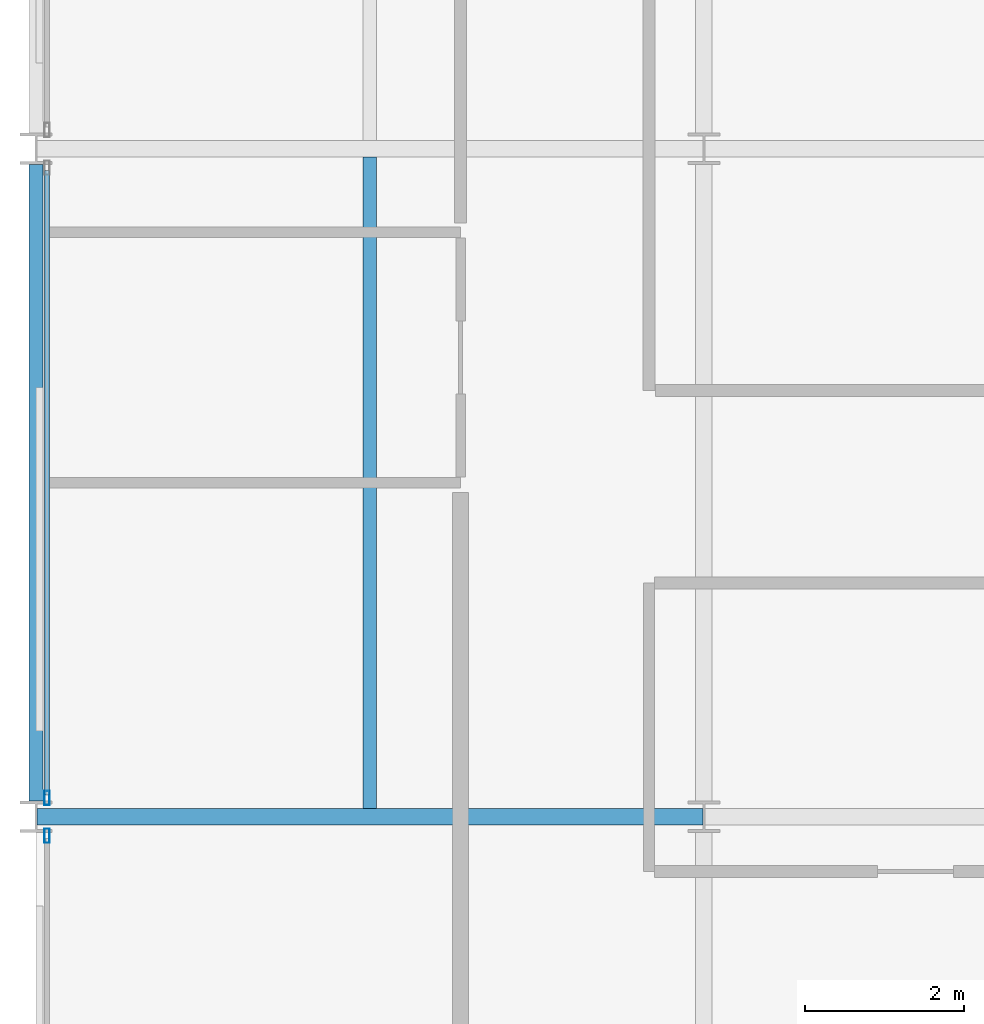
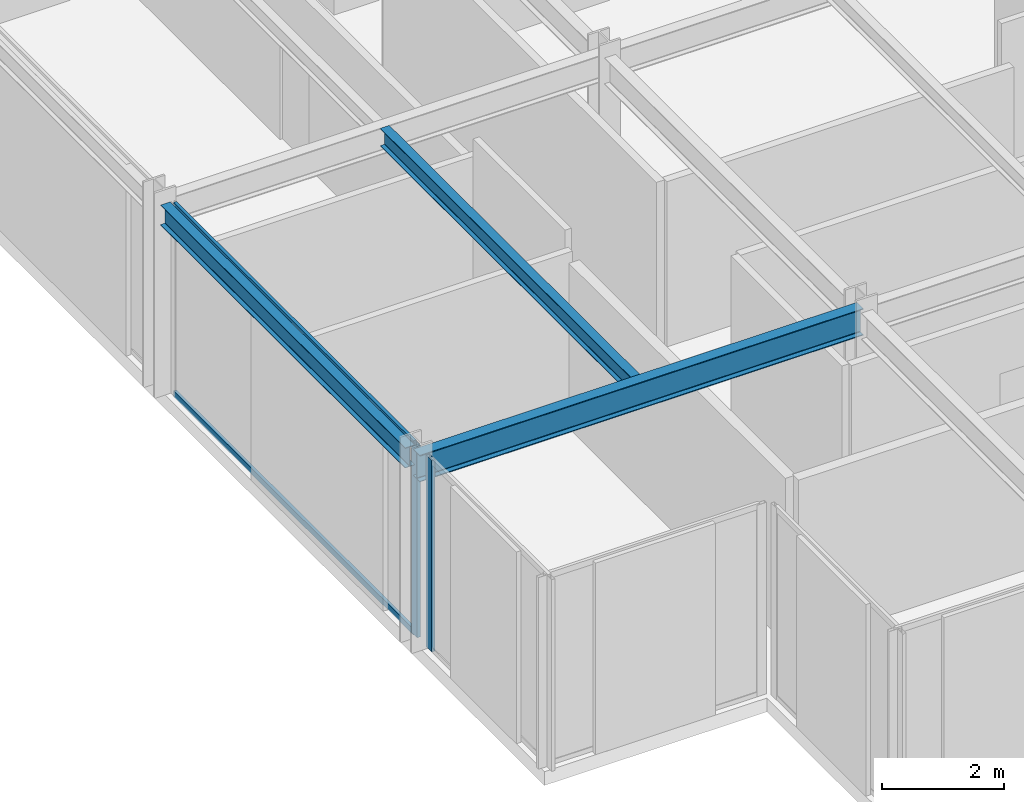
# One storey, part 4 of 29: 4 members, 3 beams, 2 elements without a shape of their own.
"""IFC4 building model written with IfcOpenShell, lengths in metres."""

from ifc_helpers import new_model, si_unit, direction, frame, origin, origin_2d, place, context, subcontext, project, spatial, hollow_rectangle, i_section, extrude, material, layer, layer_set, material_profile, profile_set, type_object, element, aggregate, save


model = new_model("IFC4")

# Units and contexts
model_context = context("Model", 3, precision=1e-05, world=origin(), true_north=direction((0.0, 1.0)))
body_context = subcontext(model_context, "Body", "Model", "MODEL_VIEW")
ifc_project = project(units=[si_unit("LENGTHUNIT", "METRE"), si_unit("AREAUNIT", "SQUARE_METRE"), si_unit("VOLUMEUNIT", "CUBIC_METRE"), si_unit("PLANEANGLEUNIT", "RADIAN"), si_unit("MASSUNIT", "GRAM", prefix="KILO")], contexts=[model_context])

# Site, building, storey
site_placement = place(None, origin())
site = spatial("IfcSite", under=ifc_project, at=site_placement, CompositionType="ELEMENT")
building_placement = place(site_placement, origin())
building = spatial("IfcBuilding", under=site, at=building_placement, Name="Nerrivon Quay Data Exchange", CompositionType="ELEMENT")
storey_placement = place(building_placement, frame((0.0, 0.0, 133.60009765625)))
storey = spatial("IfcBuildingStorey", under=building, at=storey_placement, Name="L31", CompositionType="ELEMENT", Elevation=133.60009765625)

# Beams
ifc_material_1 = material(Name="Steel Grade 350", Category="steel")
ifc_material_profile_1 = material_profile(ifc_material_1, i_section(OverallWidth=0.208984375, OverallDepth=0.532958984375, WebThickness=0.01025390625, FlangeThickness=0.015625, FilletRadius=0.013916015625, at=origin_2d()), Name="530UB92.4")
ifc_profile_set_1 = profile_set([ifc_material_profile_1], Name="Steel Grade 350")
beam_type_1 = type_object("IfcBeamType", Name="BM-G3-530UB92", PredefinedType="BEAM", material=ifc_profile_set_1)
beam_1_placement = place(storey_placement, frame((0.012451171875, 8.39990234375, 3.558349609375), z_axis=(1.0, 0.0, 0.0), x_axis=(0.0, 1.0, 0.0)))
element("IfcBeam", 1, at=beam_1_placement, inside=storey, type_object=beam_type_1, Name="L31 EW Girder Y=8.4 (0.0..8.4)", PredefinedType="BEAM", context=body_context, shape_type="SweptSolid", body=[
    extrude(i_section(OverallWidth=0.208984375, OverallDepth=0.532958984375, WebThickness=0.01025390625, FlangeThickness=0.015625, FilletRadius=0.013916015625, at=origin_2d()), origin(), (0.0, 0.0, 1.0), 8.375),
])
ifc_material_profile_2 = material_profile(ifc_material_1, i_section(OverallWidth=0.1708984375, OverallDepth=0.35595703125, WebThickness=0.00732421875, FlangeThickness=0.011474609375, FilletRadius=0.011474609375, at=origin_2d()), Name="360UB50.7")
ifc_profile_set_2 = profile_set([ifc_material_profile_2], Name="Steel Grade 350")
beam_type_2 = type_object("IfcBeamType", Name="BM-J4-360UB51", PredefinedType="JOIST", material=ifc_profile_set_2)
beam_2_placement = place(storey_placement, frame((4.199951171875, 8.50439453125, 3.64697265625), z_axis=(0.0, 1.0, 0.0), x_axis=(-1.0, 0.0, 0.0)))
element("IfcBeam", 2, at=beam_2_placement, inside=storey, type_object=beam_type_2, Name="L31 Secondary Joist X=4.2 (8.4..16.8)", PredefinedType="JOIST", context=body_context, shape_type="SweptSolid", body=[
    extrude(i_section(OverallWidth=0.1708984375, OverallDepth=0.35595703125, WebThickness=0.00732421875, FlangeThickness=0.011474609375, FilletRadius=0.011474609375, at=origin_2d()), origin(), (0.0, 0.0, 1.0), 8.191162109375),
])
ifc_material_profile_3 = material_profile(ifc_material_1, i_section(OverallWidth=0.177978515625, OverallDepth=0.403076171875, WebThickness=0.007568359375, FlangeThickness=0.010986328125, FilletRadius=0.011474609375, at=origin_2d()), Name="410UB53.7")
ifc_profile_set_3 = profile_set([ifc_material_profile_3], Name="Steel Grade 350")
beam_type_3 = type_object("IfcBeamType", Name="BM-SP2-410UB54", PredefinedType="SPANDREL", material=ifc_profile_set_3)
beam_3_placement = place(storey_placement, frame((0.0, 8.60009765625, 3.623291015625), z_axis=(0.0, 1.0, 0.0), x_axis=(-1.0, 0.0, 0.0)))
element("IfcBeam", 3, at=beam_3_placement, inside=storey, type_object=beam_type_3, Name="L31 NS Girder X=0.0 (8.4..16.8)", PredefinedType="SPANDREL", context=body_context, shape_type="SweptSolid", body=[
    extrude(i_section(OverallWidth=0.177978515625, OverallDepth=0.403076171875, WebThickness=0.007568359375, FlangeThickness=0.010986328125, FilletRadius=0.011474609375, at=origin_2d()), origin(), (0.0, 0.0, 1.0), 8.0),
])

# Curtain wall, member
ifc_material_2 = material(Name="Anodised aluminium 6063-T6", Category="aluminium")
ifc_layer = layer(ifc_material_2, 0.2099609375)
ifc_layer_set = layer_set([ifc_layer], Name="Anodised aluminium 6063-T6")
curtain_wall_type = type_object("IfcCurtainWallType", Name="CW-SYS-02", PredefinedType="NOTDEFINED", material=ifc_layer_set)
curtain_wall_1_placement = place(storey_placement, origin())
curtain_wall_1 = element("IfcCurtainWall", 4, at=curtain_wall_1_placement, inside=storey, type_object=curtain_wall_type, Name="L31 Unitised Curtain Wall 11", PredefinedType="NOTDEFINED")
ifc_material_profile_4 = material_profile(ifc_material_2, hollow_rectangle(XDim=0.06494140625, YDim=0.179931640625, WallThickness=0.00341796875, at=origin_2d()), Name="ALU-MULL-180x65")
ifc_profile_set_4 = profile_set([ifc_material_profile_4], Name="Anodised aluminium 6063-T6")
member_type_1 = type_object("IfcMemberType", Name="CWM-180x65", PredefinedType="MULLION", material=ifc_profile_set_4)
member_1_placement = place(storey_placement, frame((0.139892578125, 8.16259765625, 0.0), z_axis=(0.0, 0.0, 1.0), x_axis=(-1.0, 0.0, 0.0)))
member_1 = element("IfcMember", 5, at=member_1_placement, type_object=member_type_1, Name="CW02 mullion 2", PredefinedType="MULLION", context=body_context, shape_type="SweptSolid", body=[
    extrude(hollow_rectangle(XDim=0.06494140625, YDim=0.179931640625, WallThickness=0.00341796875, at=origin_2d()), origin(), (0.0, 0.0, 1.0), 3.824951171875),
])
aggregate(curtain_wall_1, [member_1])

# Curtain wall, members
curtain_wall_2_placement = place(storey_placement, origin())
curtain_wall_2 = element("IfcCurtainWall", 6, at=curtain_wall_2_placement, inside=storey, type_object=curtain_wall_type, Name="L31 Unitised Curtain Wall 12", PredefinedType="NOTDEFINED")
member_2_placement = place(storey_placement, frame((0.139892578125, 8.637451171875, 0.0), z_axis=(0.0, 0.0, 1.0), x_axis=(-1.0, 0.0, 0.0)))
member_2 = element("IfcMember", 7, at=member_2_placement, type_object=member_type_1, Name="CW02 mullion 1", PredefinedType="MULLION", context=body_context, shape_type="SweptSolid", body=[
    extrude(hollow_rectangle(XDim=0.06494140625, YDim=0.179931640625, WallThickness=0.00341796875, at=origin_2d()), origin(), (0.0, 0.0, 1.0), 3.824951171875),
])
ifc_material_profile_5 = material_profile(ifc_material_2, hollow_rectangle(XDim=0.06005859375, YDim=0.1201171875, WallThickness=0.003173828125, at=origin_2d()), Name="ALU-TRAN-120x60")
ifc_profile_set_5 = profile_set([ifc_material_profile_5], Name="Anodised aluminium 6063-T6")
member_type_2 = type_object("IfcMemberType", Name="CWT-120x60", PredefinedType="USERDEFINED", material=ifc_profile_set_5)
member_3_placement = place(storey_placement, frame((0.139892578125, 8.675048828125, 0.032470703125), z_axis=(0.0, 1.0, 0.0), x_axis=(-1.0, 0.0, 0.0)))
member_3 = element("IfcMember", 8, at=member_3_placement, type_object=member_type_2, Name="CW02 transom 1.1", ObjectType="TRANSOM", PredefinedType="USERDEFINED", context=body_context, shape_type="SweptSolid", body=[
    extrude(hollow_rectangle(XDim=0.06005859375, YDim=0.1201171875, WallThickness=0.003173828125, at=origin_2d()), origin(), (0.0, 0.0, 1.0), 7.849853515625),
])
member_4_placement = place(storey_placement, frame((0.139892578125, 8.675048828125, 3.79248046875), z_axis=(0.0, 1.0, 0.0), x_axis=(-1.0, 0.0, 0.0)))
member_4 = element("IfcMember", 9, at=member_4_placement, type_object=member_type_2, Name="CW02 transom 1.2", ObjectType="TRANSOM", PredefinedType="USERDEFINED", context=body_context, shape_type="SweptSolid", body=[
    extrude(hollow_rectangle(XDim=0.06005859375, YDim=0.1201171875, WallThickness=0.003173828125, at=origin_2d()), origin(), (0.0, 0.0, 1.0), 7.849853515625),
])
aggregate(curtain_wall_2, [member_2, member_3, member_4])

save(model, "model.ifc")
